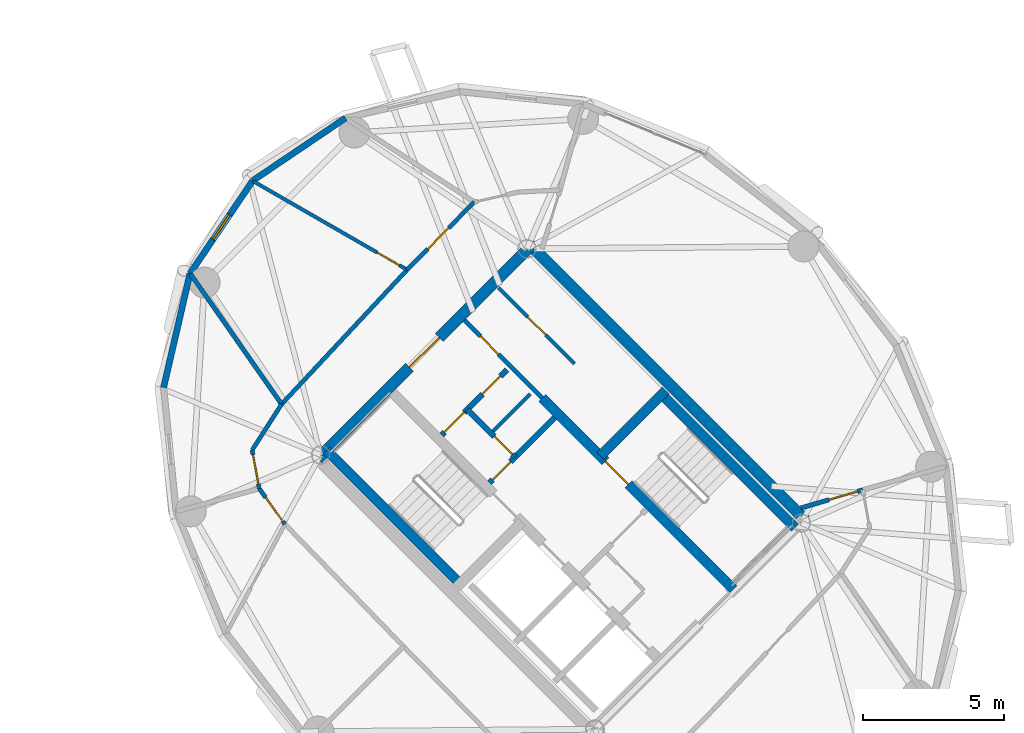
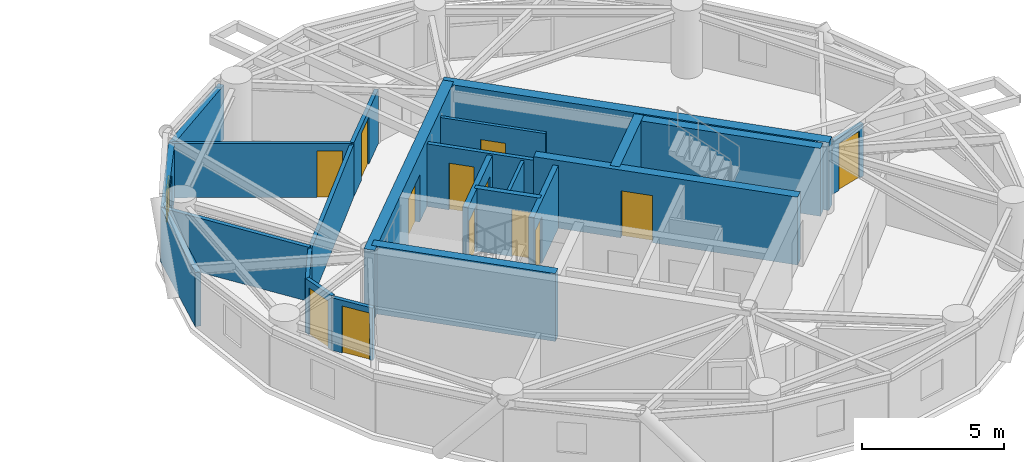
# One storey, part 12 of 16: 23 walls, 13 doors, 1 window, 14 openings.
"""IFC4 building model written with IfcOpenShell, lengths in metres."""

from ifc_helpers import new_model, si_unit, direction, frame, frame_2d, origin, place, context, subcontext, project, spatial, rectangle, extrude, source, transform, mapped, material, layer, layer_set, type_object, element, fill, save


model = new_model("IFC4")

# Units and contexts
model_context = context("Model", 3, precision=1e-05, world=origin(), true_north=direction((0.0, 1.0)))
body_context = subcontext(model_context, "Body", "Model", "MODEL_VIEW")
ifc_project = project(units=[si_unit("LENGTHUNIT", "METRE"), si_unit("AREAUNIT", "SQUARE_METRE"), si_unit("VOLUMEUNIT", "CUBIC_METRE"), si_unit("PLANEANGLEUNIT", "RADIAN"), si_unit("MASSUNIT", "GRAM", prefix="KILO")], contexts=[model_context])

# Site, building, storey
site_placement = place(None, origin())
site = spatial("IfcSite", under=ifc_project, at=site_placement, CompositionType="ELEMENT")
building_placement = place(site_placement, origin())
building = spatial("IfcBuilding", under=site, at=building_placement, Name="Cununo Teusaquillo Station Towers", CompositionType="ELEMENT")
storey_placement = place(building_placement, frame((0.0, 0.0, 211.2099609375)))
storey = spatial("IfcBuildingStorey", under=building, at=storey_placement, Name="L67", CompositionType="ELEMENT", Elevation=211.2099609375)

# Wall, opening, door
ifc_material_1 = material(Name="Concrete C50/60", Category="concrete")
ifc_layer_1 = layer(ifc_material_1, 0.35009765625)
ifc_layer_set_1 = layer_set([ifc_layer_1], Name="Concrete C50/60")
wall_type_1 = type_object("IfcWallType", Name="WL-CORE-350", PredefinedType="SHEAR", material=ifc_layer_set_1)
wall_1_placement = place(storey_placement, frame((63.627197265625, 20.939697265625, 0.0), z_axis=(0.0, 0.0, 1.0), x_axis=(-0.707119496762, 0.707094065383, 0.0)))
wall_1 = element("IfcWall", 1, at=wall_1_placement, inside=storey, type_object=wall_type_1, Name="L67 Tower B Core Shear Wall IE", PredefinedType="SHEAR", context=body_context, shape_type="SweptSolid", body=[
    extrude(rectangle(XDim=9.60009765625, YDim=0.35009765625, at=frame_2d((4.800048828125, 0.0))), origin(), (0.0, 0.0, 1.0), 2.91015625),
])
shared_shape_1 = source(origin(), body_context, "Body", "SweptSolid", [
    extrude(rectangle(XDim=1.14990234375, YDim=2.02001953125, at=frame_2d((0.574951171875, 1.010009765625))), frame((0.0, 0.18505859375, 0.0), z_axis=(0.0, -1.0, 0.0), x_axis=(1.0, 0.0, 0.0)), (0.0, 0.0, 1.0), 0.3701171875),
])
opening_1_placement = place(wall_1_placement, frame((5.280029296875, 0.0, 0.0)))
opening_1 = element("IfcOpeningElement", 2, at=opening_1_placement, cuts=wall_1, Name="Opening D-ST1", PredefinedType="OPENING", context=body_context, shape_type="MappedRepresentation", body=[
    mapped(shared_shape_1, transform((0.0, 0.0, 0.0), x_axis=(1.0, 0.0, 0.0), y_axis=(0.0, 1.0, 0.0), z_axis=(0.0, 0.0, 1.0), scale=1.0)),
])
ifc_material_2 = material(Name="Galvanised fire-rated hollow steel door assembly", Category="steel")
door_type_1 = type_object("IfcDoorType", Name="DR-STAIR-1150", OperationType="NOTDEFINED", PredefinedType="DOOR", material=ifc_material_2)
shared_shape_2 = source(origin(), body_context, "Body", "SweptSolid", [
    extrude(rectangle(XDim=1.14990234375, YDim=2.02001953125, at=frame_2d((0.574951171875, 1.010009765625))), frame((0.0, 0.02490234375, 0.0), z_axis=(0.0, -1.0, 0.0), x_axis=(1.0, 0.0, 0.0)), (0.0, 0.0, 1.0), 0.050048828125),
])
door_1_placement = place(opening_1_placement, origin())
door_1 = element("IfcDoor", 3, at=door_1_placement, inside=storey, type_object=door_type_1, Name="L67 Tower B Exit Stair 2 Fire Door", OperationType="SINGLE_SWING_RIGHT", OverallHeight=2.02001953125, OverallWidth=1.14990234375, PredefinedType="DOOR", context=body_context, shape_type="MappedRepresentation", body=[
    mapped(shared_shape_2, transform((0.0, 0.0, 0.0), x_axis=(1.0, 0.0, 0.0), y_axis=(0.0, 1.0, 0.0), z_axis=(0.0, 0.0, 1.0), scale=1.0)),
])
fill(opening_1, door_1)

# Walls
for number, where, z_axis, x_axis, name in (
    (4, (53.922119140625, 21.14111328125, 0.0), (0.0, 0.0, 1.0), (-0.707106781187, 0.707106781187, 0.0), "L67 Tower B Core Shear Wall ST1W"),
    (5, (65.81201171875, 23.124755859375, 0.0), (0.0, 0.0, 1.0), (-0.707106781187, 0.707106781187, 0.0), "L67 Tower B Core Shear Wall ST2E"),
):
    element("IfcWall", number, at=place(storey_placement, frame(where, z_axis=z_axis, x_axis=x_axis)), inside=storey, type_object=wall_type_1, Name=name, PredefinedType="SHEAR", context=body_context, shape_type="SweptSolid", body=[
        extrude(rectangle(XDim=6.695068359375, YDim=0.35009765625, at=frame_2d((3.34765625, 0.0))), origin(), (0.0, 0.0, 1.0), 2.91015625),
    ])
wall_2_placement = place(storey_placement, frame((58.89306640625, 25.673828125, 0.0), z_axis=(0.0, 0.0, 1.0), x_axis=(0.707106781187, 0.707106781187, 0.0)))
element("IfcWall", 6, at=wall_2_placement, inside=storey, type_object=wall_type_1, Name="L67 Tower B Core Shear Wall ST2N", PredefinedType="SHEAR", context=body_context, shape_type="SweptSolid", body=[
    extrude(rectangle(XDim=3.284912109375, YDim=0.35009765625, at=frame_2d((1.642578125, 0.0))), origin(), (0.0, 0.0, 1.0), 2.91015625),
])
ifc_material_3 = material(Name="Concrete C50/60", Category="concrete")
ifc_layer_2 = layer(ifc_material_3, 0.39990234375)
ifc_layer_set_2 = layer_set([ifc_layer_2], Name="Concrete C50/60")
wall_type_2 = type_object("IfcWallType", Name="WL-CORE-400", PredefinedType="SHEAR", material=ifc_layer_set_2)
wall_3_placement = place(storey_placement, frame((66.26806640625, 23.2978515625, 0.0), z_axis=(0.0, 0.0, 1.0), x_axis=(-0.707106781187, 0.707106781187, 0.0)))
element("IfcWall", 7, at=wall_3_placement, inside=storey, type_object=wall_type_2, Name="L67 Tower B Core Shear Wall E", PredefinedType="SHEAR", context=body_context, shape_type="SweptSolid", body=[
    extrude(rectangle(XDim=14.10009765625, YDim=0.39990234375, at=frame_2d((7.050048828125, 0.0))), origin(), (0.0, 0.0, 1.0), 2.91015625),
])

# Wall, opening, door
wall_4_placement = place(storey_placement, frame((48.873291015625, 25.560791015625, 0.0), z_axis=(0.0, 0.0, 1.0), x_axis=(0.707106781187, 0.707106781187, 0.0)))
wall_4 = element("IfcWall", 8, at=wall_4_placement, inside=storey, type_object=wall_type_2, Name="L67 Tower B Core Shear Wall N", PredefinedType="SHEAR", context=body_context, shape_type="SweptSolid", body=[
    extrude(rectangle(XDim=10.69970703125, YDim=0.39990234375, at=frame_2d((5.349853515625, 0.0))), origin(), (0.0, 0.0, 1.0), 2.91015625),
])
shared_shape_3 = source(origin(), body_context, "Body", "SweptSolid", [
    extrude(rectangle(XDim=1.5, YDim=2.02001953125, at=frame_2d((0.75, 1.010009765625))), frame((0.0, 0.2099609375, 0.0), z_axis=(0.0, -1.0, 0.0), x_axis=(1.0, 0.0, 0.0)), (0.0, 0.0, 1.0), 0.419921875),
])
opening_2_placement = place(wall_4_placement, frame((4.60009765625, 0.0, 0.0)))
opening_2 = element("IfcOpeningElement", 9, at=opening_2_placement, cuts=wall_4, Name="Opening D-LB1", PredefinedType="OPENING", context=body_context, shape_type="MappedRepresentation", body=[
    mapped(shared_shape_3, transform((0.0, 0.0, 0.0), x_axis=(1.0, 0.0, 0.0), y_axis=(0.0, 1.0, 0.0), z_axis=(0.0, 0.0, 1.0), scale=1.0)),
])
ifc_material_4 = material(Name="Galvanised fire-rated hollow steel door assembly", Category="steel")
door_type_2 = type_object("IfcDoorType", Name="DR-LOBBY-1500", OperationType="DOUBLE_DOOR_SINGLE_SWING", PredefinedType="DOOR", material=ifc_material_4)
shared_shape_4 = source(origin(), body_context, "Body", "SweptSolid", [
    extrude(rectangle(XDim=1.5, YDim=2.02001953125, at=frame_2d((0.75, 1.010009765625))), frame((0.0, 0.02490234375, 0.0), z_axis=(0.0, -1.0, 0.0), x_axis=(1.0, 0.0, 0.0)), (0.0, 0.0, 1.0), 0.050048828125),
])
door_2_placement = place(opening_2_placement, origin())
door_2 = element("IfcDoor", 10, at=door_2_placement, inside=storey, type_object=door_type_2, Name="L67 Tower B North Core Lift Lobby Door", OperationType="DOUBLE_DOOR_SINGLE_SWING", OverallHeight=2.02001953125, OverallWidth=1.5, PredefinedType="DOOR", context=body_context, shape_type="MappedRepresentation", body=[
    mapped(shared_shape_4, transform((0.0, 0.0, 0.0), x_axis=(1.0, 0.0, 0.0), y_axis=(0.0, 1.0, 0.0), z_axis=(0.0, 0.0, 1.0), scale=1.0)),
])
fill(opening_2, door_2)

# Wall
ifc_material_5 = material(Name="Precast concrete C40/50", Category="concrete")
ifc_layer_3 = layer(ifc_material_5, 0.219970703125)
ifc_layer_set_3 = layer_set([ifc_layer_3], Name="Precast concrete C40/50")
wall_type_3 = type_object("IfcWallType", Name="WL-EXT-220", PredefinedType="SOLIDWALL", material=ifc_layer_set_3)
wall_5_placement = place(storey_placement, frame((46.56103515625, 35.43896484375, 0.0), z_axis=(0.0, 0.0, 1.0), x_axis=(0.828833723692, 0.559495003079, 0.0)))
element("IfcWall", 11, at=wall_5_placement, inside=storey, type_object=wall_type_3, Name="L67 Tower B Exterior Facade Wall C04", PredefinedType="SOLIDWALL", context=body_context, shape_type="SweptSolid", body=[
    extrude(rectangle(XDim=3.9755859375, YDim=0.219970703125, at=frame_2d((1.98779296875, 0.0))), origin(), (0.0, 0.0, 1.0), 2.322021484375),
])

# Wall, opening, window
wall_6_placement = place(storey_placement, frame((44.336669921875, 32.143798828125, 0.0), z_axis=(0.0, 0.0, 1.0), x_axis=(0.559495003079, 0.828833723692, 0.0)))
wall_6 = element("IfcWall", 12, at=wall_6_placement, inside=storey, type_object=wall_type_3, Name="L67 Tower B Exterior Facade Wall C05", PredefinedType="SOLIDWALL", context=body_context, shape_type="SweptSolid", body=[
    extrude(rectangle(XDim=3.9755859375, YDim=0.219970703125, at=frame_2d((1.98779296875, 0.0))), origin(), (0.0, 0.0, 1.0), 2.322021484375),
])
shared_shape_5 = source(origin(), body_context, "Body", "SweptSolid", [
    extrude(rectangle(XDim=1.050048828125, YDim=1.300048828125, at=frame_2d((0.52490234375, 0.64990234375))), frame((0.0, 0.119873046875, 0.0), z_axis=(0.0, -1.0, 0.0), x_axis=(1.0, 0.0, 0.0)), (0.0, 0.0, 1.0), 0.239990234375),
])
opening_3_placement = place(wall_6_placement, frame((1.462890625, 0.0, 0.64990234375)))
opening_3 = element("IfcOpeningElement", 13, at=opening_3_placement, cuts=wall_6, Name="Opening WN-04", PredefinedType="OPENING", context=body_context, shape_type="MappedRepresentation", body=[
    mapped(shared_shape_5, transform((0.0, 0.0, 0.0), x_axis=(1.0, 0.0, 0.0), y_axis=(0.0, 1.0, 0.0), z_axis=(0.0, 0.0, 1.0), scale=1.0)),
])
ifc_material_6 = material(Name="Operable acoustic tinted low-E double glazing", Category="glass")
window_type = type_object("IfcWindowType", Name="WIN-BAL-1050", PartitioningType="SINGLE_PANEL", PredefinedType="WINDOW", material=ifc_material_6)
shared_shape_6 = source(origin(), body_context, "Body", "SweptSolid", [
    extrude(rectangle(XDim=1.050048828125, YDim=1.300048828125, at=frame_2d((0.52490234375, 0.64990234375))), frame((0.0, 0.030029296875, 0.0), z_axis=(0.0, -1.0, 0.0), x_axis=(1.0, 0.0, 0.0)), (0.0, 0.0, 1.0), 0.06005859375),
])
window_placement = place(opening_3_placement, origin())
window = element("IfcWindow", 14, at=window_placement, inside=storey, type_object=window_type, Name="L67 Tower B Facade Window C05", OverallHeight=1.300048828125, OverallWidth=1.050048828125, PartitioningType="SINGLE_PANEL", PredefinedType="WINDOW", context=body_context, shape_type="MappedRepresentation", body=[
    mapped(shared_shape_6, transform((0.0, 0.0, 0.0), x_axis=(1.0, 0.0, 0.0), y_axis=(0.0, 1.0, 0.0), z_axis=(0.0, 0.0, 1.0), scale=1.0)),
])
fill(opening_3, window)

# Walls
wall_7_placement = place(storey_placement, frame((43.40087890625, 28.100341796875, 0.0), z_axis=(0.0, 0.0, 1.0), x_axis=(0.225473813158, 0.974249228678, 0.0)))
element("IfcWall", 15, at=wall_7_placement, inside=storey, type_object=wall_type_3, Name="L67 Tower B Exterior Facade Wall C06", PredefinedType="SOLIDWALL", context=body_context, shape_type="SweptSolid", body=[
    extrude(rectangle(XDim=4.150390625, YDim=0.219970703125, at=frame_2d((2.0751953125, 0.0))), origin(), (0.0, 0.0, 1.0), 2.322021484375),
])
ifc_material_7 = material(Name="Fire-rated gypsum plasterboard partition assembly", Category="gypsum")
ifc_layer_4 = layer(ifc_material_7, 0.125)
ifc_layer_set_4 = layer_set([ifc_layer_4], Name="Fire-rated gypsum plasterboard partition assembly")
wall_type_4 = type_object("IfcWallType", Name="WL-PART-125", PredefinedType="PARTITIONING", material=ifc_layer_set_4)
wall_8_placement = place(storey_placement, frame((55.0888671875, 26.54345703125, 0.0), z_axis=(0.0, 0.0, 1.0), x_axis=(0.707106781187, 0.707106781187, 0.0)))
element("IfcWall", 16, at=wall_8_placement, inside=storey, type_object=wall_type_4, Name="L67 Tower B Core Horizontal Split Wall", PredefinedType="PARTITIONING", context=body_context, shape_type="SweptSolid", body=[
    extrude(rectangle(XDim=1.8798828125, YDim=0.125, at=frame_2d((0.93994140625, 0.0))), origin(), (0.0, 0.0, 1.0), 2.68505859375),
])

# Wall, opening, door
wall_9_placement = place(storey_placement, frame((57.980712890625, 28.940673828125, 0.0), z_axis=(0.0, 0.0, 1.0), x_axis=(-0.707074823725, 0.707138737204, 0.0)))
wall_9 = element("IfcWall", 17, at=wall_9_placement, inside=storey, type_object=wall_type_4, Name="L67 Tower B Reclaimed Bay Vertical Split Wall", PredefinedType="PARTITIONING", context=body_context, shape_type="SweptSolid", body=[
    extrude(rectangle(XDim=3.81982421875, YDim=0.125, at=frame_2d((1.909912109375, 0.0))), origin(), (0.0, 0.0, 1.0), 2.68505859375),
])
shared_shape_7 = source(origin(), body_context, "Body", "SweptSolid", [
    extrude(rectangle(XDim=0.89990234375, YDim=2.0048828125, at=frame_2d((0.449951171875, 1.00244140625))), frame((0.0, 0.072509765625, 0.0), z_axis=(0.0, -1.0, 0.0), x_axis=(1.0, 0.0, 0.0)), (0.0, 0.0, 1.0), 0.14501953125),
])
opening_4_placement = place(wall_9_placement, frame((1.449951171875, 0.0, 0.0)))
opening_4 = element("IfcOpeningElement", 18, at=opening_4_placement, cuts=wall_9, Name="Opening D-IN1", PredefinedType="OPENING", context=body_context, shape_type="MappedRepresentation", body=[
    mapped(shared_shape_7, transform((0.0, 0.0, 0.0), x_axis=(1.0, 0.0, 0.0), y_axis=(0.0, 1.0, 0.0), z_axis=(0.0, 0.0, 1.0), scale=1.0)),
])
ifc_material_8 = material(Name="Acoustic solid-core hardwood leaf assembly", Category="wood")
door_type_3 = type_object("IfcDoorType", Name="DR-INT-900", OperationType="NOTDEFINED", PredefinedType="DOOR", material=ifc_material_8)
shared_shape_8 = source(origin(), body_context, "Body", "SweptSolid", [
    extrude(rectangle(XDim=0.89990234375, YDim=2.0048828125, at=frame_2d((0.449951171875, 1.00244140625))), frame((0.0, 0.02490234375, 0.0), z_axis=(0.0, -1.0, 0.0), x_axis=(1.0, 0.0, 0.0)), (0.0, 0.0, 1.0), 0.050048828125),
])
door_3_placement = place(opening_4_placement, origin())
door_3 = element("IfcDoor", 19, at=door_3_placement, inside=storey, type_object=door_type_3, Name="L67 Tower B Reclaimed Acoustic Booth Door", OperationType="SINGLE_SWING_LEFT", OverallHeight=2.0048828125, OverallWidth=0.89990234375, PredefinedType="DOOR", context=body_context, shape_type="MappedRepresentation", body=[
    mapped(shared_shape_8, transform((0.0, 0.0, 0.0), x_axis=(1.0, 0.0, 0.0), y_axis=(0.0, 1.0, 0.0), z_axis=(0.0, 0.0, 1.0), scale=1.0)),
])
fill(opening_4, door_3)

wall_10_placement = place(storey_placement, frame((52.04345703125, 32.27978515625, 0.0), z_axis=(0.0, 0.0, 1.0), x_axis=(-0.866853616581, 0.498562741709, 0.0)))
wall_10 = element("IfcWall", 20, at=wall_10_placement, inside=storey, type_object=wall_type_4, Name="L67 Tower B International Arbitration Salon Suite Subdividing Wall", PredefinedType="PARTITIONING", context=body_context, shape_type="SweptSolid", body=[
    extrude(rectangle(XDim=6.30810546875, YDim=0.125, at=frame_2d((3.154052734375, 0.0))), origin(), (0.0, 0.0, 1.0), 2.322021484375),
])
opening_5_placement = place(wall_10_placement, frame((0.330078125, 0.0, 0.0)))
opening_5 = element("IfcOpeningElement", 21, at=opening_5_placement, cuts=wall_10, Name="Opening D-IN1", PredefinedType="OPENING", context=body_context, shape_type="MappedRepresentation", body=[
    mapped(shared_shape_7, transform((0.0, 0.0, 0.0), x_axis=(1.0, 0.0, 0.0), y_axis=(0.0, 1.0, 0.0), z_axis=(0.0, 0.0, 1.0), scale=1.0)),
])
door_4_placement = place(opening_5_placement, origin())
door_4 = element("IfcDoor", 22, at=door_4_placement, inside=storey, type_object=door_type_3, Name="L67 Tower B International Arbitration Salon Suite Connecting Door", OperationType="SINGLE_SWING_RIGHT", OverallHeight=2.0048828125, OverallWidth=0.89990234375, PredefinedType="DOOR", context=body_context, shape_type="MappedRepresentation", body=[
    mapped(shared_shape_8, transform((0.0, 0.0, 0.0), x_axis=(1.0, 0.0, 0.0), y_axis=(0.0, 1.0, 0.0), z_axis=(0.0, 0.0, 1.0), scale=1.0)),
])
fill(opening_5, door_4)

ifc_material_9 = material(Name="Fire-rated gypsum plasterboard partition assembly", Category="gypsum")
ifc_layer_5 = layer(ifc_material_9, 0.14990234375)
ifc_layer_set_5 = layer_set([ifc_layer_5], Name="Fire-rated gypsum plasterboard partition assembly")
wall_type_5 = type_object("IfcWallType", Name="WL-PART-150", PredefinedType="PARTITIONING", material=ifc_layer_set_5)
wall_11_placement = place(storey_placement, frame((54.426513671875, 34.6826171875, 0.0), z_axis=(0.0, 0.0, 1.0), x_axis=(-0.704178989986, -0.710022499687, 0.0)))
wall_11 = element("IfcWall", 23, at=wall_11_placement, inside=storey, type_object=wall_type_5, Name="L67 Tower B Corridor Ring Wall C04", PredefinedType="PARTITIONING", context=body_context, shape_type="SweptSolid", body=[
    extrude(rectangle(XDim=3.38427734375, YDim=0.14990234375, at=frame_2d((1.692138671875, 0.0))), origin(), (0.0, 0.0, 1.0), 2.322021484375),
])
shared_shape_9 = source(origin(), body_context, "Body", "SweptSolid", [
    extrude(rectangle(XDim=1.050048828125, YDim=2.014892578125, at=frame_2d((0.52490234375, 1.00732421875))), frame((0.0, 0.0849609375, 0.0), z_axis=(0.0, -1.0, 0.0), x_axis=(1.0, 0.0, 0.0)), (0.0, 0.0, 1.0), 0.169921875),
])
opening_6_placement = place(wall_11_placement, frame((1.2978515625, 0.0, 0.0)))
opening_6 = element("IfcOpeningElement", 24, at=opening_6_placement, cuts=wall_11, Name="Opening D-SU1", PredefinedType="OPENING", context=body_context, shape_type="MappedRepresentation", body=[
    mapped(shared_shape_9, transform((0.0, 0.0, 0.0), x_axis=(1.0, 0.0, 0.0), y_axis=(0.0, 1.0, 0.0), z_axis=(0.0, 0.0, 1.0), scale=1.0)),
])
ifc_material_10 = material(Name="Acoustic solid-core hardwood leaf assembly", Category="wood")
door_type_4 = type_object("IfcDoorType", Name="DR-SUITE-1050", OperationType="NOTDEFINED", PredefinedType="DOOR", material=ifc_material_10)
shared_shape_10 = source(origin(), body_context, "Body", "SweptSolid", [
    extrude(rectangle(XDim=1.050048828125, YDim=2.014892578125, at=frame_2d((0.52490234375, 1.00732421875))), frame((0.0, 0.02490234375, 0.0), z_axis=(0.0, -1.0, 0.0), x_axis=(1.0, 0.0, 0.0)), (0.0, 0.0, 1.0), 0.050048828125),
])
door_5_placement = place(opening_6_placement, origin())
door_5 = element("IfcDoor", 25, at=door_5_placement, inside=storey, type_object=door_type_4, Name="L67 Tower B International Arbitration Salon Entrance Door", OperationType="SINGLE_SWING_LEFT", OverallHeight=2.014892578125, OverallWidth=1.050048828125, PredefinedType="DOOR", context=body_context, shape_type="MappedRepresentation", body=[
    mapped(shared_shape_10, transform((0.0, 0.0, 0.0), x_axis=(1.0, 0.0, 0.0), y_axis=(0.0, 1.0, 0.0), z_axis=(0.0, 0.0, 1.0), scale=1.0)),
])
fill(opening_6, door_5)

# Walls
wall_12_placement = place(storey_placement, frame((52.04345703125, 32.27978515625, 0.0), z_axis=(0.0, 0.0, 1.0), x_axis=(-0.682606081633, -0.730786519661, 0.0)))
element("IfcWall", 26, at=wall_12_placement, inside=storey, type_object=wall_type_5, Name="L67 Tower B Corridor Ring Wall C05", PredefinedType="PARTITIONING", context=body_context, shape_type="SweptSolid", body=[
    extrude(rectangle(XDim=6.526611328125, YDim=0.14990234375, at=frame_2d((3.26318359375, 0.0))), origin(), (0.0, 0.0, 1.0), 2.255126953125),
])
wall_13_placement = place(storey_placement, frame((47.58837890625, 27.51025390625, 0.0), z_axis=(0.0, 0.0, 1.0), x_axis=(-0.540202619347, -0.841534984449, 0.0)))
element("IfcWall", 27, at=wall_13_placement, inside=storey, type_object=wall_type_5, Name="L67 Tower B Corridor Ring Wall C06", PredefinedType="PARTITIONING", context=body_context, shape_type="SweptSolid", body=[
    extrude(rectangle(XDim=1.934814453125, YDim=0.14990234375, at=frame_2d((0.96728515625, 0.0))), origin(), (0.0, 0.0, 1.0), 2.255126953125),
])

# Wall, opening, door
wall_14_placement = place(storey_placement, frame((46.543212890625, 25.882080078125, 0.0), z_axis=(0.0, 0.0, 1.0), x_axis=(0.181153502579, -0.983454832976, 0.0)))
wall_14 = element("IfcWall", 28, at=wall_14_placement, inside=storey, type_object=wall_type_5, Name="L67 Tower B Corridor Ring Wall C07", PredefinedType="PARTITIONING", context=body_context, shape_type="SweptSolid", body=[
    extrude(rectangle(XDim=1.39208984375, YDim=0.14990234375, at=frame_2d((0.696044921875, 0.0))), origin(), (0.0, 0.0, 1.0), 2.322021484375),
])
opening_7_placement = place(wall_14_placement, frame((0.1708984375, 0.0, 0.0)))
opening_7 = element("IfcOpeningElement", 29, at=opening_7_placement, cuts=wall_14, Name="Opening D-SU1", PredefinedType="OPENING", context=body_context, shape_type="MappedRepresentation", body=[
    mapped(shared_shape_9, transform((0.0, 0.0, 0.0), x_axis=(1.0, 0.0, 0.0), y_axis=(0.0, 1.0, 0.0), z_axis=(0.0, 0.0, 1.0), scale=1.0)),
])
door_6_placement = place(opening_7_placement, origin())
door_6 = element("IfcDoor", 30, at=door_6_placement, inside=storey, type_object=door_type_4, Name="L67 Tower B Senior Counsel Office Entrance Door", OperationType="SINGLE_SWING_LEFT", OverallHeight=2.014892578125, OverallWidth=1.050048828125, PredefinedType="DOOR", context=body_context, shape_type="MappedRepresentation", body=[
    mapped(shared_shape_10, transform((0.0, 0.0, 0.0), x_axis=(1.0, 0.0, 0.0), y_axis=(0.0, 1.0, 0.0), z_axis=(0.0, 0.0, 1.0), scale=1.0)),
])
fill(opening_7, door_6)

wall_15_placement = place(storey_placement, frame((46.79541015625, 24.512939453125, 0.0), z_axis=(0.0, 0.0, 1.0), x_axis=(0.585628197524, -0.810579801294, 0.0)))
wall_15 = element("IfcWall", 31, at=wall_15_placement, inside=storey, type_object=wall_type_5, Name="L67 Tower B Corridor Ring Wall C08", PredefinedType="PARTITIONING", context=body_context, shape_type="SweptSolid", body=[
    extrude(rectangle(XDim=1.55419921875, YDim=0.14990234375, at=frame_2d((0.777099609375, 0.0))), origin(), (0.0, 0.0, 1.0), 2.255126953125),
])
opening_8_placement = place(wall_15_placement, frame((0.384033203125, 0.0, 0.0)))
opening_8 = element("IfcOpeningElement", 32, at=opening_8_placement, cuts=wall_15, Name="Opening D-SU1", PredefinedType="OPENING", context=body_context, shape_type="MappedRepresentation", body=[
    mapped(shared_shape_9, transform((0.0, 0.0, 0.0), x_axis=(1.0, 0.0, 0.0), y_axis=(0.0, 1.0, 0.0), z_axis=(0.0, 0.0, 1.0), scale=1.0)),
])
door_7_placement = place(opening_8_placement, origin())
door_7 = element("IfcDoor", 33, at=door_7_placement, inside=storey, type_object=door_type_4, Name="L67 Tower B Visiting Envoy Briefing Room Entrance Door", OperationType="SINGLE_SWING_RIGHT", OverallHeight=2.014892578125, OverallWidth=1.050048828125, PredefinedType="DOOR", context=body_context, shape_type="MappedRepresentation", body=[
    mapped(shared_shape_10, transform((0.0, 0.0, 0.0), x_axis=(1.0, 0.0, 0.0), y_axis=(0.0, 1.0, 0.0), z_axis=(0.0, 0.0, 1.0), scale=1.0)),
])
fill(opening_8, door_7)

ifc_material_11 = material(Name="Fire-rated gypsum plasterboard partition assembly", Category="gypsum")
ifc_layer_6 = layer(ifc_material_11, 0.159912109375)
ifc_layer_set_6 = layer_set([ifc_layer_6], Name="Fire-rated gypsum plasterboard partition assembly")
wall_type_6 = type_object("IfcWallType", Name="WL-PART-160", PredefinedType="PARTITIONING", material=ifc_layer_set_6)
wall_16_placement = place(storey_placement, frame((56.8388671875, 27.727783203125, 0.0), z_axis=(0.0, 0.0, 1.0), x_axis=(-0.707106781187, 0.707106781187, 0.0)))
wall_16 = element("IfcWall", 34, at=wall_16_placement, inside=storey, type_object=wall_type_6, Name="L67 Tower B Reclaimed Core Bay Entry Wall", PredefinedType="PARTITIONING", context=body_context, shape_type="SweptSolid", body=[
    extrude(rectangle(XDim=3.900146484375, YDim=0.159912109375, at=frame_2d((1.9501953125, 0.0))), origin(), (0.0, 0.0, 1.0), 2.68505859375),
])
shared_shape_11 = source(origin(), body_context, "Body", "SweptSolid", [
    extrude(rectangle(XDim=0.89990234375, YDim=2.0048828125, at=frame_2d((0.449951171875, 1.00244140625))), frame((0.0, 0.08984375, 0.0), z_axis=(0.0, -1.0, 0.0), x_axis=(1.0, 0.0, 0.0)), (0.0, 0.0, 1.0), 0.179931640625),
])
opening_9_placement = place(wall_16_placement, frame((2.199951171875, 0.0, 0.0)))
opening_9 = element("IfcOpeningElement", 35, at=opening_9_placement, cuts=wall_16, Name="Opening D-IN1", PredefinedType="OPENING", context=body_context, shape_type="MappedRepresentation", body=[
    mapped(shared_shape_11, transform((0.0, 0.0, 0.0), x_axis=(1.0, 0.0, 0.0), y_axis=(0.0, 1.0, 0.0), z_axis=(0.0, 0.0, 1.0), scale=1.0)),
])
door_8_placement = place(opening_9_placement, origin())
door_8 = element("IfcDoor", 36, at=door_8_placement, inside=storey, type_object=door_type_3, Name="L67 Tower B Reclaimed Meeting Room Door", OperationType="SINGLE_SWING_RIGHT", OverallHeight=2.0048828125, OverallWidth=0.89990234375, PredefinedType="DOOR", context=body_context, shape_type="MappedRepresentation", body=[
    mapped(shared_shape_8, transform((0.0, 0.0, 0.0), x_axis=(1.0, 0.0, 0.0), y_axis=(0.0, 1.0, 0.0), z_axis=(0.0, 0.0, 1.0), scale=1.0)),
])
fill(opening_9, door_8)

# Wall
wall_17_placement = place(storey_placement, frame((47.58837890625, 27.51025390625, 0.0), z_axis=(0.0, 0.0, 1.0), x_axis=(-0.573073195236, 0.819504187239, 0.0)))
element("IfcWall", 37, at=wall_17_placement, inside=storey, type_object=wall_type_6, Name="L67 Tower B Radial Suite Partition R03", PredefinedType="PARTITIONING", context=body_context, shape_type="SweptSolid", body=[
    extrude(rectangle(XDim=5.64306640625, YDim=0.159912109375, at=frame_2d((2.821533203125, 0.0))), origin(), (0.0, 0.0, 1.0), 2.322021484375),
])

# Wall, opening, door
wall_18_placement = place(storey_placement, frame((66.0205078125, 23.828125, 0.0), z_axis=(0.0, 0.0, 1.0), x_axis=(0.959727558294, 0.280932400856, 0.0)))
wall_18 = element("IfcWall", 38, at=wall_18_placement, inside=storey, type_object=wall_type_6, Name="L67 Tower B East Salon Corridor Portal Wall SE", PredefinedType="PARTITIONING", context=body_context, shape_type="SweptSolid", body=[
    extrude(rectangle(XDim=2.281982421875, YDim=0.159912109375, at=frame_2d((1.14111328125, 0.0))), origin(), (0.0, 0.0, 1.0), 2.255126953125),
])
shared_shape_12 = source(origin(), body_context, "Body", "SweptSolid", [
    extrude(rectangle(XDim=1.050048828125, YDim=2.014892578125, at=frame_2d((0.52490234375, 1.00732421875))), frame((0.0, 0.08984375, 0.0), z_axis=(0.0, -1.0, 0.0), x_axis=(1.0, 0.0, 0.0)), (0.0, 0.0, 1.0), 0.179931640625),
])
opening_10_placement = place(wall_18_placement, frame((1.031982421875, 0.0, 0.0)))
opening_10 = element("IfcOpeningElement", 39, at=opening_10_placement, cuts=wall_18, Name="Opening D-SU1", PredefinedType="OPENING", context=body_context, shape_type="MappedRepresentation", body=[
    mapped(shared_shape_12, transform((0.0, 0.0, 0.0), x_axis=(1.0, 0.0, 0.0), y_axis=(0.0, 1.0, 0.0), z_axis=(0.0, 0.0, 1.0), scale=1.0)),
])
door_9_placement = place(opening_10_placement, origin())
door_9 = element("IfcDoor", 40, at=door_9_placement, inside=storey, type_object=door_type_4, Name="L67 Tower B East Panorama Sky Salon Door SE", OperationType="SINGLE_SWING_LEFT", OverallHeight=2.014892578125, OverallWidth=1.050048828125, PredefinedType="DOOR", context=body_context, shape_type="MappedRepresentation", body=[
    mapped(shared_shape_10, transform((0.0, 0.0, 0.0), x_axis=(1.0, 0.0, 0.0), y_axis=(0.0, 1.0, 0.0), z_axis=(0.0, 0.0, 1.0), scale=1.0)),
])
fill(opening_10, door_9)

ifc_material_12 = material(Name="Fire-rated gypsum plasterboard partition assembly", Category="gypsum")
ifc_layer_7 = layer(ifc_material_12, 0.199951171875)
ifc_layer_set_7 = layer_set([ifc_layer_7], Name="Fire-rated gypsum plasterboard partition assembly")
wall_type_7 = type_object("IfcWallType", Name="WL-PART-200", PredefinedType="PARTITIONING", material=ifc_layer_set_7)
wall_19_placement = place(storey_placement, frame((54.96142578125, 24.71923828125, 0.0), z_axis=(0.0, 0.0, 1.0), x_axis=(0.707106781187, 0.707106781187, 0.0)))
wall_19 = element("IfcWall", 41, at=wall_19_placement, inside=storey, type_object=wall_type_7, Name="L67 Tower B Firefighting Lift Lobby North Fire Wall", PredefinedType="PARTITIONING", context=body_context, shape_type="SweptSolid", body=[
    extrude(rectangle(XDim=3.280029296875, YDim=0.199951171875, at=frame_2d((1.64013671875, 0.0))), origin(), (0.0, 0.0, 1.0), 2.68505859375),
])
shared_shape_13 = source(origin(), body_context, "Body", "SweptSolid", [
    extrude(rectangle(XDim=0.89990234375, YDim=2.0048828125, at=frame_2d((0.449951171875, 1.00244140625))), frame((0.0, 0.10986328125, 0.0), z_axis=(0.0, -1.0, 0.0), x_axis=(1.0, 0.0, 0.0)), (0.0, 0.0, 1.0), 0.219970703125),
])
opening_11_placement = place(wall_19_placement, frame((0.159912109375, 0.0, 0.0)))
opening_11 = element("IfcOpeningElement", 42, at=opening_11_placement, cuts=wall_19, Name="Opening D-SR1", PredefinedType="OPENING", context=body_context, shape_type="MappedRepresentation", body=[
    mapped(shared_shape_13, transform((0.0, 0.0, 0.0), x_axis=(1.0, 0.0, 0.0), y_axis=(0.0, 1.0, 0.0), z_axis=(0.0, 0.0, 1.0), scale=1.0)),
])
ifc_material_13 = material(Name="Galvanised fire-rated hollow steel door assembly", Category="steel")
door_type_5 = type_object("IfcDoorType", Name="DR-STORE-900", OperationType="NOTDEFINED", PredefinedType="DOOR", material=ifc_material_13)
door_10_placement = place(opening_11_placement, origin())
door_10 = element("IfcDoor", 43, at=door_10_placement, inside=storey, type_object=door_type_5, Name="L67 Tower B Stair 1 Protected Vestibule South Door", OperationType="SINGLE_SWING_LEFT", OverallHeight=2.0048828125, OverallWidth=0.89990234375, PredefinedType="DOOR", context=body_context, shape_type="MappedRepresentation", body=[
    mapped(shared_shape_8, transform((0.0, 0.0, 0.0), x_axis=(1.0, 0.0, 0.0), y_axis=(0.0, 1.0, 0.0), z_axis=(0.0, 0.0, 1.0), scale=1.0)),
])
fill(opening_11, door_10)

wall_20_placement = place(storey_placement, frame((55.873779296875, 25.63134765625, 0.0), z_axis=(0.0, 0.0, 1.0), x_axis=(-0.707157639372, 0.707055919343, 0.0)))
wall_20 = element("IfcWall", 44, at=wall_20_placement, inside=storey, type_object=wall_type_7, Name="L67 Tower B Stair 1 Vestibule Partition Wall", PredefinedType="PARTITIONING", context=body_context, shape_type="SweptSolid", body=[
    extrude(rectangle(XDim=2.400146484375, YDim=0.199951171875, at=frame_2d((1.2001953125, 0.0))), origin(), (0.0, 0.0, 1.0), 2.68505859375),
])
opening_12_placement = place(wall_20_placement, frame((0.139892578125, 0.0, 0.0)))
opening_12 = element("IfcOpeningElement", 45, at=opening_12_placement, cuts=wall_20, Name="Opening D-SR1", PredefinedType="OPENING", context=body_context, shape_type="MappedRepresentation", body=[
    mapped(shared_shape_13, transform((0.0, 0.0, 0.0), x_axis=(1.0, 0.0, 0.0), y_axis=(0.0, 1.0, 0.0), z_axis=(0.0, 0.0, 1.0), scale=1.0)),
])
door_11_placement = place(opening_12_placement, origin())
door_11 = element("IfcDoor", 46, at=door_11_placement, inside=storey, type_object=door_type_5, Name="L67 Tower B Core Linen Store Door", OperationType="SINGLE_SWING_RIGHT", OverallHeight=2.0048828125, OverallWidth=0.89990234375, PredefinedType="DOOR", context=body_context, shape_type="MappedRepresentation", body=[
    mapped(shared_shape_8, transform((0.0, 0.0, 0.0), x_axis=(1.0, 0.0, 0.0), y_axis=(0.0, 1.0, 0.0), z_axis=(0.0, 0.0, 1.0), scale=1.0)),
])
fill(opening_12, door_11)

# Wall, openings, doors
wall_21_placement = place(storey_placement, frame((53.264404296875, 26.416259765625, 0.0), z_axis=(0.0, 0.0, 1.0), x_axis=(0.707106781187, 0.707106781187, 0.0)))
wall_21 = element("IfcWall", 47, at=wall_21_placement, inside=storey, type_object=wall_type_7, Name="L67 Tower B North Lift Lobby South Fire Wall", PredefinedType="PARTITIONING", context=body_context, shape_type="SweptSolid", body=[
    extrude(rectangle(XDim=3.280029296875, YDim=0.199951171875, at=frame_2d((1.64013671875, 0.0))), origin(), (0.0, 0.0, 1.0), 2.68505859375),
])
shared_shape_14 = source(origin(), body_context, "Body", "SweptSolid", [
    extrude(rectangle(XDim=1.0, YDim=2.014892578125, at=frame_2d((0.5, 1.00732421875))), frame((0.0, 0.10986328125, 0.0), z_axis=(0.0, -1.0, 0.0), x_axis=(1.0, 0.0, 0.0)), (0.0, 0.0, 1.0), 0.219970703125),
])
opening_13_placement = place(wall_21_placement, frame((0.139892578125, 0.0, 0.0)))
opening_13 = element("IfcOpeningElement", 48, at=opening_13_placement, cuts=wall_21, Name="Opening D-AC1", PredefinedType="OPENING", context=body_context, shape_type="MappedRepresentation", body=[
    mapped(shared_shape_14, transform((0.0, 0.0, 0.0), x_axis=(1.0, 0.0, 0.0), y_axis=(0.0, 1.0, 0.0), z_axis=(0.0, 0.0, 1.0), scale=1.0)),
])
opening_14_placement = place(wall_21_placement, frame((2.050048828125, 0.0, 0.0)))
opening_14 = element("IfcOpeningElement", 49, at=opening_14_placement, cuts=wall_21, Name="Opening D-SR1", PredefinedType="OPENING", context=body_context, shape_type="MappedRepresentation", body=[
    mapped(shared_shape_13, transform((0.0, 0.0, 0.0), x_axis=(1.0, 0.0, 0.0), y_axis=(0.0, 1.0, 0.0), z_axis=(0.0, 0.0, 1.0), scale=1.0)),
])
door_12_placement = place(opening_14_placement, origin())
door_12 = element("IfcDoor", 50, at=door_12_placement, inside=storey, type_object=door_type_5, Name="L67 Tower B Core Comms Room Door", OperationType="SINGLE_SWING_LEFT", OverallHeight=2.0048828125, OverallWidth=0.89990234375, PredefinedType="DOOR", context=body_context, shape_type="MappedRepresentation", body=[
    mapped(shared_shape_8, transform((0.0, 0.0, 0.0), x_axis=(1.0, 0.0, 0.0), y_axis=(0.0, 1.0, 0.0), z_axis=(0.0, 0.0, 1.0), scale=1.0)),
])
fill(opening_14, door_12)
ifc_material_14 = material(Name="Acoustic solid-core hardwood leaf assembly", Category="wood")
door_type_6 = type_object("IfcDoorType", Name="DR-ACC-1000", OperationType="NOTDEFINED", PredefinedType="DOOR", material=ifc_material_14)
shared_shape_15 = source(origin(), body_context, "Body", "SweptSolid", [
    extrude(rectangle(XDim=1.0, YDim=2.014892578125, at=frame_2d((0.5, 1.00732421875))), frame((0.0, 0.02490234375, 0.0), z_axis=(0.0, -1.0, 0.0), x_axis=(1.0, 0.0, 0.0)), (0.0, 0.0, 1.0), 0.050048828125),
])
door_13_placement = place(opening_13_placement, origin())
door_13 = element("IfcDoor", 51, at=door_13_placement, inside=storey, type_object=door_type_6, Name="L67 Tower B North Lift Lobby to Stair 1 Vestibule Door", OperationType="SINGLE_SWING_RIGHT", OverallHeight=2.014892578125, OverallWidth=1.0, PredefinedType="DOOR", context=body_context, shape_type="MappedRepresentation", body=[
    mapped(shared_shape_15, transform((0.0, 0.0, 0.0), x_axis=(1.0, 0.0, 0.0), y_axis=(0.0, 1.0, 0.0), z_axis=(0.0, 0.0, 1.0), scale=1.0)),
])
fill(opening_13, door_13)

save(model, "model.ifc")
